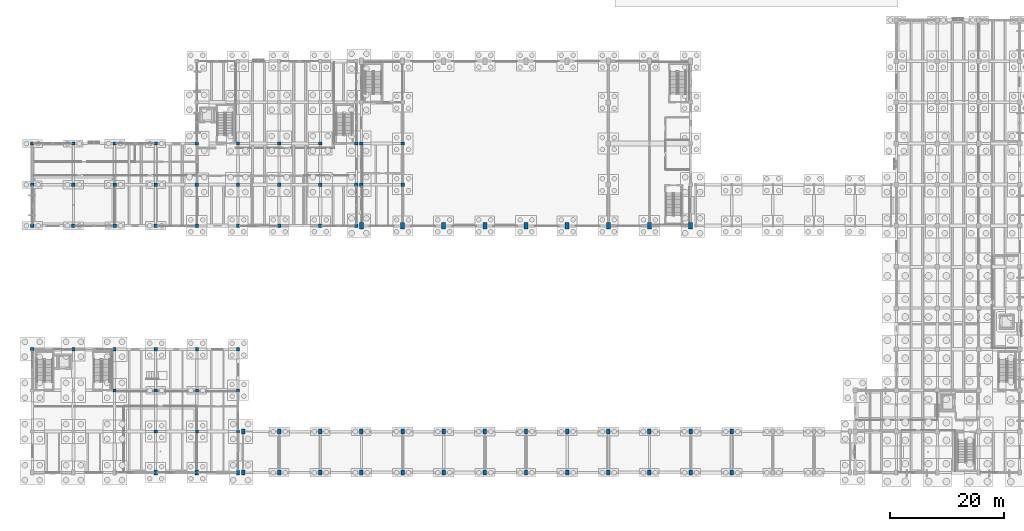
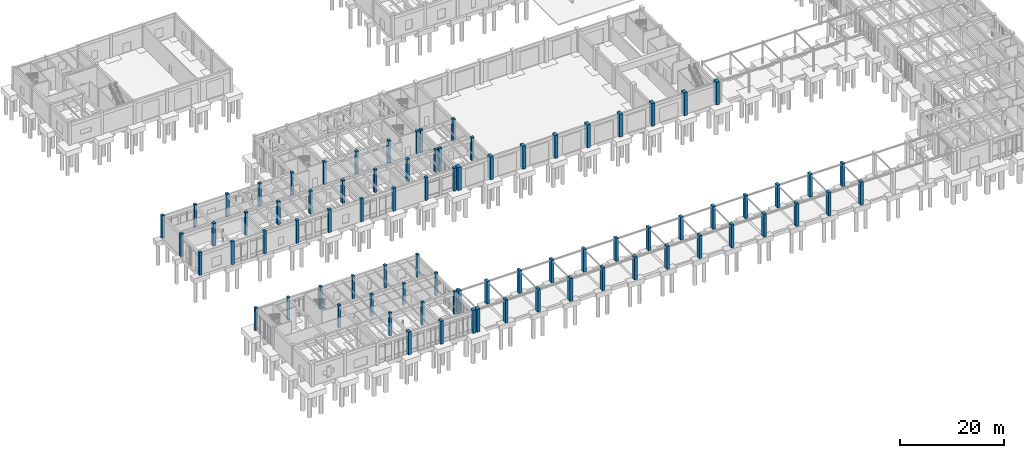
# One storey, part 11 of 93: 82 columns.
"""IFC4 building model written with IfcOpenShell, lengths in metres."""

from ifc_helpers import new_model, si_unit, direction, frame, origin, origin_2d, place, context, subcontext, project, spatial, rectangle, extrude, material, material_profile, profile_set, type_object, element, save


model = new_model("IFC4")

# Units and contexts
model_context = context("Model", 3, precision=1e-05, world=origin(), true_north=direction((0.0, 1.0)))
body_context = subcontext(model_context, "Body", "Model", "MODEL_VIEW")
ifc_project = project(units=[si_unit("LENGTHUNIT", "METRE"), si_unit("AREAUNIT", "SQUARE_METRE"), si_unit("VOLUMEUNIT", "CUBIC_METRE"), si_unit("PLANEANGLEUNIT", "RADIAN"), si_unit("MASSUNIT", "GRAM", prefix="KILO")], contexts=[model_context])

# Site, building, storey
site_placement = place(None, origin())
site = spatial("IfcSite", under=ifc_project, at=site_placement, CompositionType="ELEMENT")
building_placement = place(site_placement, origin())
building = spatial("IfcBuilding", under=site, at=building_placement, Name="Koriwan Promenade Central Fire Station", CompositionType="ELEMENT")
storey_placement = place(building_placement, origin())
storey = spatial("IfcBuildingStorey", under=building, at=storey_placement, Name="L00", CompositionType="ELEMENT", Elevation=0.0)

# Columns
ifc_material = material(Name="Concrete C40/50", Category="concrete")
ifc_material_profile_1 = material_profile(ifc_material, rectangle(XDim=0.550048828125, YDim=0.550048828125, at=origin_2d()), Name="RC-COL-550x550")
ifc_profile_set_1 = profile_set([ifc_material_profile_1], Name="Concrete C40/50")
column_type_1 = type_object("IfcColumnType", Name="Column_RC-COL-550x550", PredefinedType="COLUMN", material=ifc_profile_set_1)
for number, where, z_axis, x_axis, name in (
    (1, (0.0, 21.60009765625, 0.0), (0.0, 0.0, 1.0), (1.0, 0.0, 0.0), "V3 L00 column (0.0, 21.6)"),
    (2, (7.199951171875, 21.60009765625, 0.0), (0.0, 0.0, 1.0), (1.0, 0.0, 0.0), "V3 L00 column (7.2, 21.6)"),
    (3, (14.39990234375, 14.39990234375, 0.0), (0.0, 0.0, 1.0), (1.0, 0.0, 0.0), "V3 L00 column (14.4, 14.4)"),
    (4, (14.39990234375, 21.60009765625, 0.0), (0.0, 0.0, 1.0), (1.0, 0.0, 0.0), "V3 L00 column (14.4, 21.6)"),
    (5, (21.60009765625, 7.199951171875, 0.0), (0.0, 0.0, 1.0), (1.0, 0.0, 0.0), "V3 L00 column (21.6, 7.2)"),
    (6, (21.60009765625, 14.39990234375, 0.0), (0.0, 0.0, 1.0), (1.0, 0.0, 0.0), "V3 L00 column (21.6, 14.4)"),
    (7, (21.60009765625, 21.60009765625, 0.0), (0.0, 0.0, 1.0), (1.0, 0.0, 0.0), "V3 L00 column (21.6, 21.6)"),
    (8, (28.800048828125, 7.199951171875, 0.0), (0.0, 0.0, 1.0), (1.0, 0.0, 0.0), "V3 L00 column (28.8, 7.2)"),
    (9, (28.800048828125, 14.39990234375, 0.0), (0.0, 0.0, 1.0), (1.0, 0.0, 0.0), "V3 L00 column (28.8, 14.4)"),
    (10, (28.800048828125, 21.60009765625, 0.0), (0.0, 0.0, 1.0), (1.0, 0.0, 0.0), "V3 L00 column (28.8, 21.6)"),
    (11, (36.0, 7.199951171875, 0.0), (0.0, 0.0, 1.0), (1.0, 0.0, 0.0), "V3 L00 column (36.0, 7.2)"),
    (12, (36.0, 14.39990234375, 0.0), (0.0, 0.0, 1.0), (1.0, 0.0, 0.0), "V3 L00 column (36.0, 14.4)"),
    (13, (36.0, 21.60009765625, 0.0), (0.0, 0.0, 1.0), (1.0, 0.0, 0.0), "V3 L00 column (36.0, 21.6)"),
):
    element("IfcColumn", number, at=place(storey_placement, frame(where, z_axis=z_axis, x_axis=x_axis)), inside=storey, type_object=column_type_1, Name=name, PredefinedType="COLUMN", context=body_context, shape_type="SweptSolid", body=[
        extrude(rectangle(XDim=0.550048828125, YDim=0.550048828125, at=origin_2d()), origin(), (0.0, 0.0, 1.0), 5.39990234375),
    ])
ifc_material_profile_2 = material_profile(ifc_material, rectangle(XDim=0.60009765625, YDim=0.60009765625, at=origin_2d()), Name="RC-COL-600x600")
ifc_profile_set_2 = profile_set([ifc_material_profile_2], Name="Concrete C40/50")
column_type_2 = type_object("IfcColumnType", Name="Column_RC-COL-600x600", PredefinedType="COLUMN", material=ifc_profile_set_2)
for number, where, z_axis, x_axis, name in (
    (14, (57.60009765625, 50.39990234375, 0.0), (0.0, 0.0, 1.0), (1.0, 0.0, 0.0), "V1 L00 column (57.6, 50.4)"),
    (15, (57.60009765625, 57.60009765625, 0.0), (0.0, 0.0, 1.0), (1.0, 0.0, 0.0), "V1 L00 column (57.6, 57.6)"),
    (16, (64.800048828125, 50.39990234375, 0.0), (0.0, 0.0, 1.0), (1.0, 0.0, 0.0), "V1 L00 column (64.8, 50.4)"),
    (17, (64.800048828125, 57.60009765625, 0.0), (0.0, 0.0, 1.0), (1.0, 0.0, 0.0), "V1 L00 column (64.8, 57.6)"),
    (18, (0.0, 43.199951171875, 0.0), (0.0, 0.0, 1.0), (1.0, 0.0, 0.0), "V4 L00 column (0.0, 43.2)"),
    (19, (0.0, 50.39990234375, 0.0), (0.0, 0.0, 1.0), (1.0, 0.0, 0.0), "V4 L00 column (0.0, 50.4)"),
    (20, (0.0, 57.60009765625, 0.0), (0.0, 0.0, 1.0), (1.0, 0.0, 0.0), "V4 L00 column (0.0, 57.6)"),
    (21, (7.199951171875, 43.199951171875, 0.0), (0.0, 0.0, 1.0), (1.0, 0.0, 0.0), "V4 L00 column (7.2, 43.2)"),
    (22, (7.199951171875, 50.39990234375, 0.0), (0.0, 0.0, 1.0), (1.0, 0.0, 0.0), "V4 L00 column (7.2, 50.4)"),
    (23, (7.199951171875, 57.60009765625, 0.0), (0.0, 0.0, 1.0), (1.0, 0.0, 0.0), "V4 L00 column (7.2, 57.6)"),
    (24, (14.39990234375, 43.199951171875, 0.0), (0.0, 0.0, 1.0), (1.0, 0.0, 0.0), "V4 L00 column (14.4, 43.2)"),
    (25, (14.39990234375, 50.39990234375, 0.0), (0.0, 0.0, 1.0), (1.0, 0.0, 0.0), "V4 L00 column (14.4, 50.4)"),
    (26, (14.39990234375, 57.60009765625, 0.0), (0.0, 0.0, 1.0), (1.0, 0.0, 0.0), "V4 L00 column (14.4, 57.6)"),
    (27, (21.60009765625, 43.199951171875, 0.0), (0.0, 0.0, 1.0), (1.0, 0.0, 0.0), "V4 L00 column (21.6, 43.2)"),
    (28, (21.60009765625, 50.39990234375, 0.0), (0.0, 0.0, 1.0), (1.0, 0.0, 0.0), "V4 L00 column (21.6, 50.4)"),
    (29, (21.60009765625, 57.60009765625, 0.0), (0.0, 0.0, 1.0), (1.0, 0.0, 0.0), "V4 L00 column (21.6, 57.6)"),
    (30, (28.800048828125, 43.199951171875, 0.0), (0.0, 0.0, 1.0), (1.0, 0.0, 0.0), "V4 L00 column (28.8, 43.2)"),
    (31, (28.800048828125, 50.39990234375, 0.0), (0.0, 0.0, 1.0), (1.0, 0.0, 0.0), "V4 L00 column (28.8, 50.4)"),
    (32, (28.800048828125, 57.60009765625, 0.0), (0.0, 0.0, 1.0), (1.0, 0.0, 0.0), "V4 L00 column (28.8, 57.6)"),
    (33, (36.0, 43.199951171875, 0.0), (0.0, 0.0, 1.0), (1.0, 0.0, 0.0), "V4 L00 column (36.0, 43.2)"),
    (34, (36.0, 50.39990234375, 0.0), (0.0, 0.0, 1.0), (1.0, 0.0, 0.0), "V4 L00 column (36.0, 50.4)"),
    (35, (36.0, 57.60009765625, 0.0), (0.0, 0.0, 1.0), (1.0, 0.0, 0.0), "V4 L00 column (36.0, 57.6)"),
    (36, (43.199951171875, 43.199951171875, 0.0), (0.0, 0.0, 1.0), (1.0, 0.0, 0.0), "V4 L00 column (43.2, 43.2)"),
    (37, (43.199951171875, 50.39990234375, 0.0), (0.0, 0.0, 1.0), (1.0, 0.0, 0.0), "V4 L00 column (43.2, 50.4)"),
    (38, (43.199951171875, 57.60009765625, 0.0), (0.0, 0.0, 1.0), (1.0, 0.0, 0.0), "V4 L00 column (43.2, 57.6)"),
    (39, (50.39990234375, 43.199951171875, 0.0), (0.0, 0.0, 1.0), (1.0, 0.0, 0.0), "V4 L00 column (50.4, 43.2)"),
    (40, (50.39990234375, 50.39990234375, 0.0), (0.0, 0.0, 1.0), (1.0, 0.0, 0.0), "V4 L00 column (50.4, 50.4)"),
    (41, (50.39990234375, 57.60009765625, 0.0), (0.0, 0.0, 1.0), (1.0, 0.0, 0.0), "V4 L00 column (50.4, 57.6)"),
    (42, (56.699951171875, 43.199951171875, 0.0), (0.0, 0.0, 1.0), (1.0, 0.0, 0.0), "V4 L00 column (56.7, 43.2)"),
    (43, (56.699951171875, 50.39990234375, 0.0), (0.0, 0.0, 1.0), (1.0, 0.0, 0.0), "V4 L00 column (56.7, 50.4)"),
    (44, (56.699951171875, 57.60009765625, 0.0), (0.0, 0.0, 1.0), (1.0, 0.0, 0.0), "V4 L00 column (56.7, 57.6)"),
):
    element("IfcColumn", number, at=place(storey_placement, frame(where, z_axis=z_axis, x_axis=x_axis)), inside=storey, type_object=column_type_2, Name=name, PredefinedType="COLUMN", context=body_context, shape_type="SweptSolid", body=[
        extrude(rectangle(XDim=0.60009765625, YDim=0.60009765625, at=origin_2d()), origin(), (0.0, 0.0, 1.0), 5.39990234375),
    ])
ifc_material_profile_3 = material_profile(ifc_material, rectangle(XDim=0.60009765625, YDim=0.89990234375, at=origin_2d()), Name="RC-PIL-600x900")
ifc_profile_set_3 = profile_set([ifc_material_profile_3], Name="Concrete C40/50")
column_type_3 = type_object("IfcColumnType", Name="Column_RC-PIL-600x900", PredefinedType="PILASTER", material=ifc_profile_set_3)
for number, where, z_axis, x_axis, name in (
    (45, (21.60009765625, 0.0, 0.0), (0.0, 0.0, 1.0), (1.0, 0.0, 0.0), "V3 L00 column (21.6, 0.0)"),
    (46, (28.800048828125, 0.0, 0.0), (0.0, 0.0, 1.0), (1.0, 0.0, 0.0), "V3 L00 column (28.8, 0.0)"),
    (47, (36.0, 0.0, 0.0), (0.0, 0.0, 1.0), (1.0, 0.0, 0.0), "V3 L00 column (36.0, 0.0)"),
    (48, (36.89990234375, 0.0, 0.0), (0.0, 0.0, 1.0), (1.0, 0.0, 0.0), "COL_SOUTH L00 pier (36.9, 0.0)"),
    (49, (36.89990234375, 7.199951171875, 0.0), (0.0, 0.0, 1.0), (1.0, 0.0, 0.0), "COL_SOUTH L00 pier (36.9, 7.2)"),
    (50, (43.199951171875, 0.0, 0.0), (0.0, 0.0, 1.0), (1.0, 0.0, 0.0), "COL_SOUTH L00 pier (43.2, 0.0)"),
    (51, (43.199951171875, 7.199951171875, 0.0), (0.0, 0.0, 1.0), (1.0, 0.0, 0.0), "COL_SOUTH L00 pier (43.2, 7.2)"),
    (52, (50.39990234375, 0.0, 0.0), (0.0, 0.0, 1.0), (1.0, 0.0, 0.0), "COL_SOUTH L00 pier (50.4, 0.0)"),
    (53, (50.39990234375, 7.199951171875, 0.0), (0.0, 0.0, 1.0), (1.0, 0.0, 0.0), "COL_SOUTH L00 pier (50.4, 7.2)"),
    (54, (57.60009765625, 0.0, 0.0), (0.0, 0.0, 1.0), (1.0, 0.0, 0.0), "COL_SOUTH L00 pier (57.6, 0.0)"),
    (55, (57.60009765625, 7.199951171875, 0.0), (0.0, 0.0, 1.0), (1.0, 0.0, 0.0), "COL_SOUTH L00 pier (57.6, 7.2)"),
    (56, (64.800048828125, 0.0, 0.0), (0.0, 0.0, 1.0), (1.0, 0.0, 0.0), "COL_SOUTH L00 pier (64.8, 0.0)"),
    (57, (64.800048828125, 7.199951171875, 0.0), (0.0, 0.0, 1.0), (1.0, 0.0, 0.0), "COL_SOUTH L00 pier (64.8, 7.2)"),
    (58, (72.0, 0.0, 0.0), (0.0, 0.0, 1.0), (1.0, 0.0, 0.0), "COL_SOUTH L00 pier (72.0, 0.0)"),
    (59, (72.0, 7.199951171875, 0.0), (0.0, 0.0, 1.0), (1.0, 0.0, 0.0), "COL_SOUTH L00 pier (72.0, 7.2)"),
    (60, (79.199951171875, 0.0, 0.0), (0.0, 0.0, 1.0), (1.0, 0.0, 0.0), "COL_SOUTH L00 pier (79.2, 0.0)"),
    (61, (79.199951171875, 7.199951171875, 0.0), (0.0, 0.0, 1.0), (1.0, 0.0, 0.0), "COL_SOUTH L00 pier (79.2, 7.2)"),
    (62, (86.39990234375, 0.0, 0.0), (0.0, 0.0, 1.0), (1.0, 0.0, 0.0), "COL_SOUTH L00 pier (86.4, 0.0)"),
    (63, (86.39990234375, 7.199951171875, 0.0), (0.0, 0.0, 1.0), (1.0, 0.0, 0.0), "COL_SOUTH L00 pier (86.4, 7.2)"),
    (64, (93.60009765625, 0.0, 0.0), (0.0, 0.0, 1.0), (1.0, 0.0, 0.0), "COL_SOUTH L00 pier (93.6, 0.0)"),
    (65, (93.60009765625, 7.199951171875, 0.0), (0.0, 0.0, 1.0), (1.0, 0.0, 0.0), "COL_SOUTH L00 pier (93.6, 7.2)"),
    (66, (100.800048828125, 0.0, 0.0), (0.0, 0.0, 1.0), (1.0, 0.0, 0.0), "COL_SOUTH L00 pier (100.8, 0.0)"),
    (67, (100.800048828125, 7.199951171875, 0.0), (0.0, 0.0, 1.0), (1.0, 0.0, 0.0), "COL_SOUTH L00 pier (100.8, 7.2)"),
    (68, (108.0, 0.0, 0.0), (0.0, 0.0, 1.0), (1.0, 0.0, 0.0), "COL_SOUTH L00 pier (108.0, 0.0)"),
    (69, (108.0, 7.199951171875, 0.0), (0.0, 0.0, 1.0), (1.0, 0.0, 0.0), "COL_SOUTH L00 pier (108.0, 7.2)"),
    (70, (115.199951171875, 0.0, 0.0), (0.0, 0.0, 1.0), (1.0, 0.0, 0.0), "COL_SOUTH L00 pier (115.2, 0.0)"),
    (71, (115.199951171875, 7.199951171875, 0.0), (0.0, 0.0, 1.0), (1.0, 0.0, 0.0), "COL_SOUTH L00 pier (115.2, 7.2)"),
    (72, (122.39990234375, 0.0, 0.0), (0.0, 0.0, 1.0), (1.0, 0.0, 0.0), "COL_SOUTH L00 pier (122.4, 0.0)"),
    (73, (122.39990234375, 7.199951171875, 0.0), (0.0, 0.0, 1.0), (1.0, 0.0, 0.0), "COL_SOUTH L00 pier (122.4, 7.2)"),
):
    element("IfcColumn", number, at=place(storey_placement, frame(where, z_axis=z_axis, x_axis=x_axis)), inside=storey, type_object=column_type_3, Name=name, PredefinedType="PILASTER", context=body_context, shape_type="SweptSolid", body=[
        extrude(rectangle(XDim=0.60009765625, YDim=0.89990234375, at=origin_2d()), origin(), (0.0, 0.0, 1.0), 5.39990234375),
    ])
ifc_material_profile_4 = material_profile(ifc_material, rectangle(XDim=0.699951171875, YDim=1.10009765625, at=origin_2d()), Name="RC-PIL-700x1100")
ifc_profile_set_4 = profile_set([ifc_material_profile_4], Name="Concrete C40/50")
column_type_4 = type_object("IfcColumnType", Name="Column_RC-PIL-700x1100", PredefinedType="PILASTER", material=ifc_profile_set_4)
for number, where, z_axis, x_axis, name in (
    (74, (57.60009765625, 43.199951171875, 0.0), (0.0, 0.0, 1.0), (1.0, 0.0, 0.0), "V1 L00 column (57.6, 43.2)"),
    (75, (64.800048828125, 43.199951171875, 0.0), (0.0, 0.0, 1.0), (1.0, 0.0, 0.0), "V1 L00 column (64.8, 43.2)"),
    (76, (72.0, 43.199951171875, 0.0), (0.0, 0.0, 1.0), (1.0, 0.0, 0.0), "V1 L00 column (72.0, 43.2)"),
    (77, (79.199951171875, 43.199951171875, 0.0), (0.0, 0.0, 1.0), (1.0, 0.0, 0.0), "V1 L00 column (79.2, 43.2)"),
    (78, (86.39990234375, 43.199951171875, 0.0), (0.0, 0.0, 1.0), (1.0, 0.0, 0.0), "V1 L00 column (86.4, 43.2)"),
    (79, (93.60009765625, 43.199951171875, 0.0), (0.0, 0.0, 1.0), (1.0, 0.0, 0.0), "V1 L00 column (93.6, 43.2)"),
    (80, (100.800048828125, 43.199951171875, 0.0), (0.0, 0.0, 1.0), (1.0, 0.0, 0.0), "V1 L00 column (100.8, 43.2)"),
    (81, (108.0, 43.199951171875, 0.0), (0.0, 0.0, 1.0), (1.0, 0.0, 0.0), "V1 L00 column (108.0, 43.2)"),
    (82, (115.199951171875, 43.199951171875, 0.0), (0.0, 0.0, 1.0), (1.0, 0.0, 0.0), "V1 L00 column (115.2, 43.2)"),
):
    element("IfcColumn", number, at=place(storey_placement, frame(where, z_axis=z_axis, x_axis=x_axis)), inside=storey, type_object=column_type_4, Name=name, PredefinedType="PILASTER", context=body_context, shape_type="SweptSolid", body=[
        extrude(rectangle(XDim=0.699951171875, YDim=1.10009765625, at=origin_2d()), origin(), (0.0, 0.0, 1.0), 5.39990234375),
    ])

save(model, "model.ifc")
